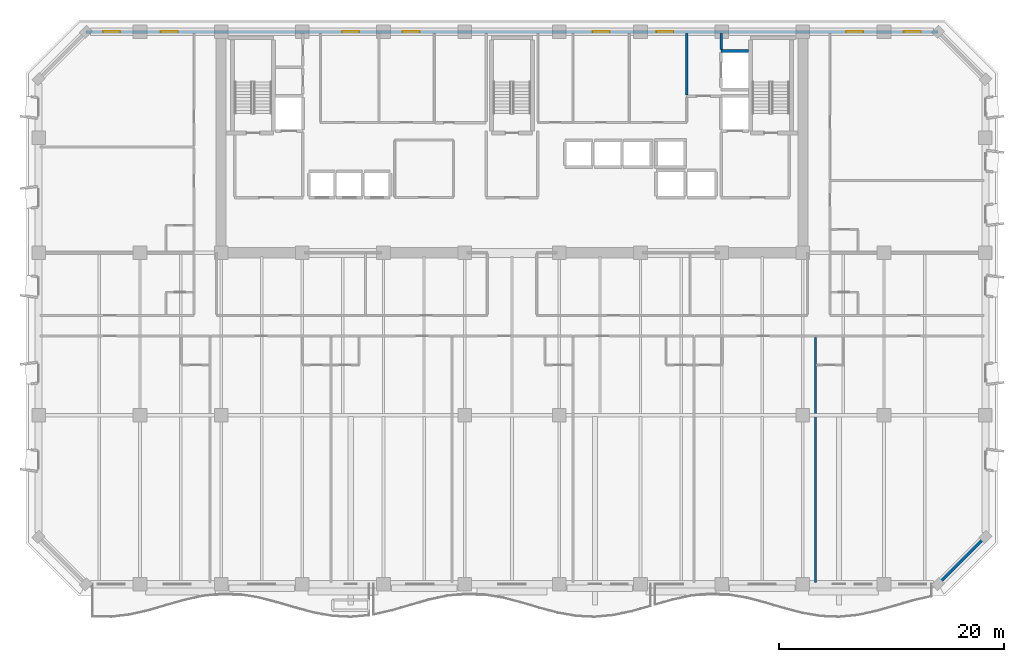
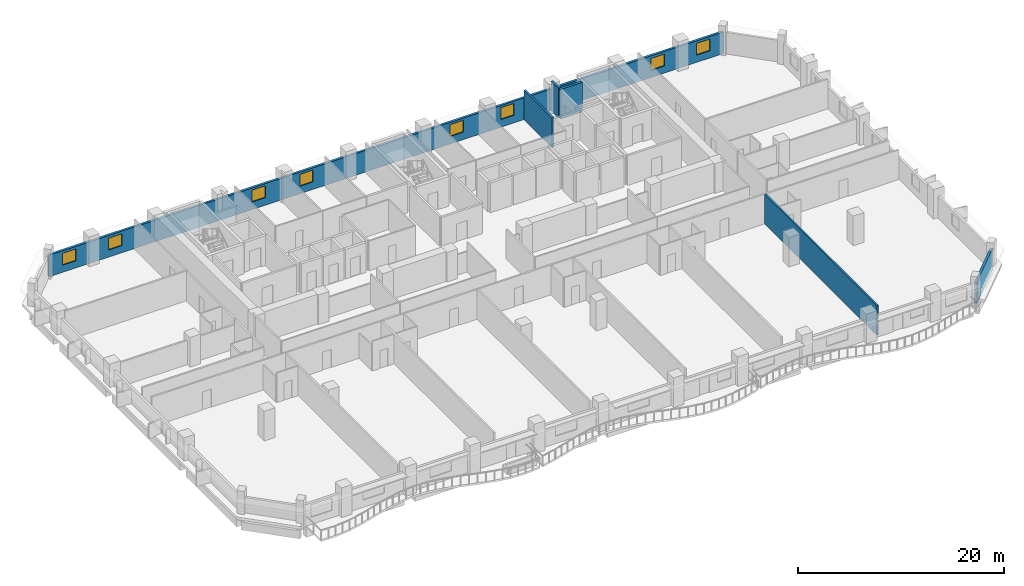
# One storey, part 9 of 15: 8 windows, 6 walls, 8 openings.
"""IFC4 building model written with IfcOpenShell, lengths in metres."""

from ifc_helpers import new_model, si_unit, direction, frame, frame_2d, origin, place, context, subcontext, project, spatial, rectangle, extrude, material, layer, layer_set, type_object, element, fill, save


model = new_model("IFC4")

# Units and contexts
model_context = context("Model", 3, precision=1e-05, world=origin(), true_north=direction((0.0, 1.0)))
body_context = subcontext(model_context, "Body", "Model", "MODEL_VIEW")
ifc_project = project(units=[si_unit("LENGTHUNIT", "METRE"), si_unit("AREAUNIT", "SQUARE_METRE"), si_unit("VOLUMEUNIT", "CUBIC_METRE"), si_unit("PLANEANGLEUNIT", "RADIAN"), si_unit("MASSUNIT", "GRAM", prefix="KILO")], contexts=[model_context])

# Site, building, storey
site_placement = place(None, origin())
site = spatial("IfcSite", under=ifc_project, at=site_placement, CompositionType="ELEMENT")
building_placement = place(site_placement, origin())
building = spatial("IfcBuilding", under=site, at=building_placement, Name="Kaelvorn Grand Hotel", CompositionType="ELEMENT")
storey_placement = place(building_placement, frame((0.0, 0.0, 104.300048828125)))
storey = spatial("IfcBuildingStorey", under=building, at=storey_placement, Name="L24", CompositionType="ELEMENT", Elevation=104.300048828125)

# Wall
ifc_material_1 = material(Name="Concrete C40/50", Category="concrete")
ifc_layer_1 = layer(ifc_material_1, 0.260009765625)
ifc_layer_set_1 = layer_set([ifc_layer_1], Name="Concrete C40/50")
wall_type_1 = type_object("IfcWallType", Name="WL-EXT-260-C40", PredefinedType="SOLIDWALL", material=ifc_layer_set_1)
wall_1_placement = place(storey_placement, frame((79.800048828125, 0.0, 0.0), z_axis=(0.0, 0.0, 1.0), x_axis=(0.707106781187, 0.707106781187, 0.0)))
element("IfcWall", 1, at=wall_1_placement, inside=storey, type_object=wall_type_1, Name="L24 Exterior Architectural Concrete Wall 02", PredefinedType="SOLIDWALL", context=body_context, shape_type="SweptSolid", body=[
    extrude(rectangle(XDim=5.939697265625, YDim=0.260009765625, at=frame_2d((2.9697265625, 0.0))), origin(), (0.0, 0.0, 1.0), 2.56005859375),
])

# Wall, openings, windows
wall_2_placement = place(storey_placement, frame((79.800048828125, 49.0, 0.0), z_axis=(0.0, 0.0, 1.0), x_axis=(-1.0, 0.0, 0.0)))
wall_2 = element("IfcWall", 2, at=wall_2_placement, inside=storey, type_object=wall_type_1, Name="L24 Exterior Architectural Concrete Wall 05", PredefinedType="SOLIDWALL", context=body_context, shape_type="SweptSolid", body=[
    extrude(rectangle(XDim=75.60009765625, YDim=0.260009765625, at=frame_2d((37.800048828125, 0.0))), origin(), (0.0, 0.0, 1.0), 2.56005859375),
])
opening_1_placement = place(wall_2_placement, frame((72.56494140625, 0.0, 0.85009765625)))
opening_1 = element("IfcOpeningElement", 3, at=opening_1_placement, cuts=wall_2, Name="Opening W10", PredefinedType="OPENING", context=body_context, shape_type="SweptSolid", body=[
    extrude(rectangle(XDim=1.5, YDim=1.39990234375, at=frame_2d((0.75, 0.699951171875))), frame((0.0, 0.14013671875, 0.0), z_axis=(0.0, -1.0, 0.0), x_axis=(1.0, 0.0, 0.0)), (0.0, 0.0, 1.0), 0.280029296875),
])
opening_2_placement = place(wall_2_placement, frame((67.449951171875, 0.0, 0.85009765625)))
opening_2 = element("IfcOpeningElement", 4, at=opening_2_placement, cuts=wall_2, Name="Opening W10", PredefinedType="OPENING", context=body_context, shape_type="SweptSolid", body=[
    extrude(rectangle(XDim=1.5, YDim=1.39990234375, at=frame_2d((0.75, 0.699951171875))), frame((0.0, 0.14013671875, 0.0), z_axis=(0.0, -1.0, 0.0), x_axis=(1.0, 0.0, 0.0)), (0.0, 0.0, 1.0), 0.280029296875),
])
opening_3_placement = place(wall_2_placement, frame((6.64990234375, 0.0, 0.85009765625)))
opening_3 = element("IfcOpeningElement", 5, at=opening_3_placement, cuts=wall_2, Name="Opening W10", PredefinedType="OPENING", context=body_context, shape_type="SweptSolid", body=[
    extrude(rectangle(XDim=1.5, YDim=1.39990234375, at=frame_2d((0.75, 0.699951171875))), frame((0.0, 0.14013671875, 0.0), z_axis=(0.0, -1.0, 0.0), x_axis=(1.0, 0.0, 0.0)), (0.0, 0.0, 1.0), 0.280029296875),
])
opening_4_placement = place(wall_2_placement, frame((1.534912109375, 0.0, 0.85009765625)))
opening_4 = element("IfcOpeningElement", 6, at=opening_4_placement, cuts=wall_2, Name="Opening W10", PredefinedType="OPENING", context=body_context, shape_type="SweptSolid", body=[
    extrude(rectangle(XDim=1.5, YDim=1.39990234375, at=frame_2d((0.75, 0.699951171875))), frame((0.0, 0.14013671875, 0.0), z_axis=(0.0, -1.0, 0.0), x_axis=(1.0, 0.0, 0.0)), (0.0, 0.0, 1.0), 0.280029296875),
])
opening_5_placement = place(wall_2_placement, frame((51.364990234375, 0.0, 0.89990234375)))
opening_5 = element("IfcOpeningElement", 7, at=opening_5_placement, cuts=wall_2, Name="Opening W10", PredefinedType="OPENING", context=body_context, shape_type="SweptSolid", body=[
    extrude(rectangle(XDim=1.5, YDim=1.39990234375, at=frame_2d((0.75, 0.699951171875))), frame((0.0, 0.14013671875, 0.0), z_axis=(0.0, -1.0, 0.0), x_axis=(1.0, 0.0, 0.0)), (0.0, 0.0, 1.0), 0.280029296875),
])
opening_6_placement = place(wall_2_placement, frame((46.0, 0.0, 0.89990234375)))
opening_6 = element("IfcOpeningElement", 8, at=opening_6_placement, cuts=wall_2, Name="Opening W10", PredefinedType="OPENING", context=body_context, shape_type="SweptSolid", body=[
    extrude(rectangle(XDim=1.5, YDim=1.39990234375, at=frame_2d((0.75, 0.699951171875))), frame((0.0, 0.14013671875, 0.0), z_axis=(0.0, -1.0, 0.0), x_axis=(1.0, 0.0, 0.0)), (0.0, 0.0, 1.0), 0.280029296875),
])
opening_7_placement = place(wall_2_placement, frame((29.14990234375, 0.0, 0.89990234375)))
opening_7 = element("IfcOpeningElement", 9, at=opening_7_placement, cuts=wall_2, Name="Opening W10", PredefinedType="OPENING", context=body_context, shape_type="SweptSolid", body=[
    extrude(rectangle(XDim=1.5, YDim=1.39990234375, at=frame_2d((0.75, 0.699951171875))), frame((0.0, 0.14013671875, 0.0), z_axis=(0.0, -1.0, 0.0), x_axis=(1.0, 0.0, 0.0)), (0.0, 0.0, 1.0), 0.280029296875),
])
opening_8_placement = place(wall_2_placement, frame((23.485107421875, 0.0, 0.89990234375)))
opening_8 = element("IfcOpeningElement", 10, at=opening_8_placement, cuts=wall_2, Name="Opening W10", PredefinedType="OPENING", context=body_context, shape_type="SweptSolid", body=[
    extrude(rectangle(XDim=1.5, YDim=1.39990234375, at=frame_2d((0.75, 0.699951171875))), frame((0.0, 0.14013671875, 0.0), z_axis=(0.0, -1.0, 0.0), x_axis=(1.0, 0.0, 0.0)), (0.0, 0.0, 1.0), 0.280029296875),
])
ifc_material_2 = material(Name="Laminated Low-E Glass", Category="glass")
window_type = type_object("IfcWindowType", Name="WIN-COR-1500x1400", PartitioningType="SINGLE_PANEL", PredefinedType="WINDOW", material=ifc_material_2)
window_1_placement = place(opening_1_placement, origin())
window_1 = element("IfcWindow", 11, at=window_1_placement, inside=storey, type_object=window_type, Name="L24 North Wing Ribbon Window NW01", OverallHeight=1.39990234375, OverallWidth=1.5, PartitioningType="SINGLE_PANEL", PredefinedType="WINDOW", context=body_context, shape_type="SweptSolid", body=[
    extrude(rectangle(XDim=1.5, YDim=1.39990234375, at=frame_2d((0.75, 0.699951171875))), frame((0.0, 0.030029296875, 0.0), z_axis=(0.0, -1.0, 0.0), x_axis=(1.0, 0.0, 0.0)), (0.0, 0.0, 1.0), 0.06005859375),
])
fill(opening_1, window_1)
window_2_placement = place(opening_2_placement, origin())
window_2 = element("IfcWindow", 12, at=window_2_placement, inside=storey, type_object=window_type, Name="L24 North Wing Ribbon Window NW02", OverallHeight=1.39990234375, OverallWidth=1.5, PartitioningType="SINGLE_PANEL", PredefinedType="WINDOW", context=body_context, shape_type="SweptSolid", body=[
    extrude(rectangle(XDim=1.5, YDim=1.39990234375, at=frame_2d((0.75, 0.699951171875))), frame((0.0, 0.030029296875, 0.0), z_axis=(0.0, -1.0, 0.0), x_axis=(1.0, 0.0, 0.0)), (0.0, 0.0, 1.0), 0.06005859375),
])
fill(opening_2, window_2)
window_3_placement = place(opening_3_placement, origin())
window_3 = element("IfcWindow", 13, at=window_3_placement, inside=storey, type_object=window_type, Name="L24 North Wing Ribbon Window NW03", OverallHeight=1.39990234375, OverallWidth=1.5, PartitioningType="SINGLE_PANEL", PredefinedType="WINDOW", context=body_context, shape_type="SweptSolid", body=[
    extrude(rectangle(XDim=1.5, YDim=1.39990234375, at=frame_2d((0.75, 0.699951171875))), frame((0.0, 0.030029296875, 0.0), z_axis=(0.0, -1.0, 0.0), x_axis=(1.0, 0.0, 0.0)), (0.0, 0.0, 1.0), 0.06005859375),
])
fill(opening_3, window_3)
window_4_placement = place(opening_4_placement, origin())
window_4 = element("IfcWindow", 14, at=window_4_placement, inside=storey, type_object=window_type, Name="L24 North Wing Ribbon Window NW04", OverallHeight=1.39990234375, OverallWidth=1.5, PartitioningType="SINGLE_PANEL", PredefinedType="WINDOW", context=body_context, shape_type="SweptSolid", body=[
    extrude(rectangle(XDim=1.5, YDim=1.39990234375, at=frame_2d((0.75, 0.699951171875))), frame((0.0, 0.030029296875, 0.0), z_axis=(0.0, -1.0, 0.0), x_axis=(1.0, 0.0, 0.0)), (0.0, 0.0, 1.0), 0.06005859375),
])
fill(opening_4, window_4)
window_5_placement = place(opening_5_placement, origin())
window_5 = element("IfcWindow", 15, at=window_5_placement, inside=storey, type_object=window_type, Name="L24 North Core Clerestory Ribbon Window NC05", OverallHeight=1.39990234375, OverallWidth=1.5, PartitioningType="SINGLE_PANEL", PredefinedType="WINDOW", context=body_context, shape_type="SweptSolid", body=[
    extrude(rectangle(XDim=1.5, YDim=1.39990234375, at=frame_2d((0.75, 0.699951171875))), frame((0.0, 0.030029296875, 0.0), z_axis=(0.0, -1.0, 0.0), x_axis=(1.0, 0.0, 0.0)), (0.0, 0.0, 1.0), 0.06005859375),
])
fill(opening_5, window_5)
window_6_placement = place(opening_6_placement, origin())
window_6 = element("IfcWindow", 16, at=window_6_placement, inside=storey, type_object=window_type, Name="L24 North Core Clerestory Ribbon Window NC06", OverallHeight=1.39990234375, OverallWidth=1.5, PartitioningType="SINGLE_PANEL", PredefinedType="WINDOW", context=body_context, shape_type="SweptSolid", body=[
    extrude(rectangle(XDim=1.5, YDim=1.39990234375, at=frame_2d((0.75, 0.699951171875))), frame((0.0, 0.030029296875, 0.0), z_axis=(0.0, -1.0, 0.0), x_axis=(1.0, 0.0, 0.0)), (0.0, 0.0, 1.0), 0.06005859375),
])
fill(opening_6, window_6)
window_7_placement = place(opening_7_placement, origin())
window_7 = element("IfcWindow", 17, at=window_7_placement, inside=storey, type_object=window_type, Name="L24 North Core Clerestory Ribbon Window NC07", OverallHeight=1.39990234375, OverallWidth=1.5, PartitioningType="SINGLE_PANEL", PredefinedType="WINDOW", context=body_context, shape_type="SweptSolid", body=[
    extrude(rectangle(XDim=1.5, YDim=1.39990234375, at=frame_2d((0.75, 0.699951171875))), frame((0.0, 0.030029296875, 0.0), z_axis=(0.0, -1.0, 0.0), x_axis=(1.0, 0.0, 0.0)), (0.0, 0.0, 1.0), 0.06005859375),
])
fill(opening_7, window_7)
window_8_placement = place(opening_8_placement, origin())
window_8 = element("IfcWindow", 18, at=window_8_placement, inside=storey, type_object=window_type, Name="L24 North Core Clerestory Ribbon Window NC08", OverallHeight=1.39990234375, OverallWidth=1.5, PartitioningType="SINGLE_PANEL", PredefinedType="WINDOW", context=body_context, shape_type="SweptSolid", body=[
    extrude(rectangle(XDim=1.5, YDim=1.39990234375, at=frame_2d((0.75, 0.699951171875))), frame((0.0, 0.030029296875, 0.0), z_axis=(0.0, -1.0, 0.0), x_axis=(1.0, 0.0, 0.0)), (0.0, 0.0, 1.0), 0.06005859375),
])
fill(opening_8, window_8)

# Walls
ifc_material_3 = material(Name="Acoustic Gypsum & Stud Partition")
ifc_layer_2 = layer(ifc_material_3, 0.179931640625)
ifc_layer_set_2 = layer_set([ifc_layer_2], Name="Acoustic Gypsum & Stud Partition")
wall_type_2 = type_object("IfcWallType", Name="WL-PART-180-EI60", PredefinedType="PARTITIONING", material=ifc_layer_set_2)
wall_3_placement = place(storey_placement, frame((68.907470703125, 0.14990234375, 0.0), z_axis=(0.0, 0.0, 1.0), x_axis=(0.0, 1.0, 0.0)))
element("IfcWall", 19, at=wall_3_placement, inside=storey, type_object=wall_type_2, Name="L24 Deluxe Panoramic Suite L24-06 E Partition", PredefinedType="PARTITIONING", context=body_context, shape_type="SweptSolid", body=[
    extrude(rectangle(XDim=21.755126953125, YDim=0.179931640625, at=frame_2d((10.87744140625, 0.0))), origin(), (0.0, 0.0, 1.0), 3.510009765625),
])
ifc_layer_3 = layer(ifc_material_1, 0.219970703125)
ifc_layer_set_3 = layer_set([ifc_layer_3], Name="Concrete C40/50")
wall_type_3 = type_object("IfcWallType", Name="WL-PART-220-EI120", PredefinedType="PARTITIONING", material=ifc_layer_set_3)
wall_4_placement = place(storey_placement, frame((57.5, 43.4150390625, 0.0), z_axis=(0.0, 0.0, 1.0), x_axis=(0.0, 1.0, 0.0)))
element("IfcWall", 20, at=wall_4_placement, inside=storey, type_object=wall_type_3, Name="L24 Service Lift Lobby W Partition", PredefinedType="PARTITIONING", context=body_context, shape_type="SweptSolid", body=[
    extrude(rectangle(XDim=5.43505859375, YDim=0.219970703125, at=frame_2d((2.717529296875, 0.0))), origin(), (0.0, 0.0, 1.0), 3.510009765625),
])
wall_5_placement = place(storey_placement, frame((60.550048828125, 47.445068359375, 0.0), z_axis=(0.0, 0.0, 1.0), x_axis=(0.0, 1.0, 0.0)))
element("IfcWall", 21, at=wall_5_placement, inside=storey, type_object=wall_type_3, Name="L24 Service Lift Lobby E Partition", PredefinedType="PARTITIONING", context=body_context, shape_type="SweptSolid", body=[
    extrude(rectangle(XDim=1.405029296875, YDim=0.219970703125, at=frame_2d((0.70263671875, 0.0))), origin(), (0.0, 0.0, 1.0), 3.510009765625),
])
ifc_material_4 = material(Name="Concrete C50/60", Category="concrete")
ifc_layer_4 = layer(ifc_material_4, 0.280029296875)
ifc_layer_set_4 = layer_set([ifc_layer_4], Name="Concrete C50/60")
wall_type_4 = type_object("IfcWallType", Name="WL-SHAFT-280-C50", PredefinedType="SHEAR", material=ifc_layer_set_4)
wall_6_placement = place(storey_placement, frame((60.550048828125, 47.300048828125, 0.0), z_axis=(0.0, 0.0, 1.0), x_axis=(1.0, 0.0, 0.0)))
element("IfcWall", 22, at=wall_6_placement, inside=storey, type_object=wall_type_4, Name="L24 Lift SV1 Shaft North Wall", PredefinedType="SHEAR", context=body_context, shape_type="SweptSolid", body=[
    extrude(rectangle(XDim=2.4150390625, YDim=0.280029296875, at=frame_2d((1.20751953125, 0.0))), origin(), (0.0, 0.0, 1.0), 3.510009765625),
])

save(model, "model.ifc")
